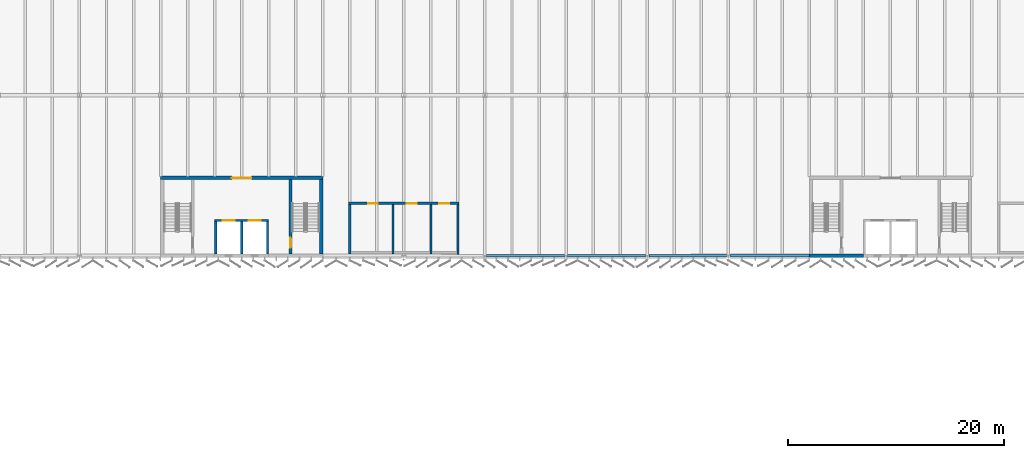
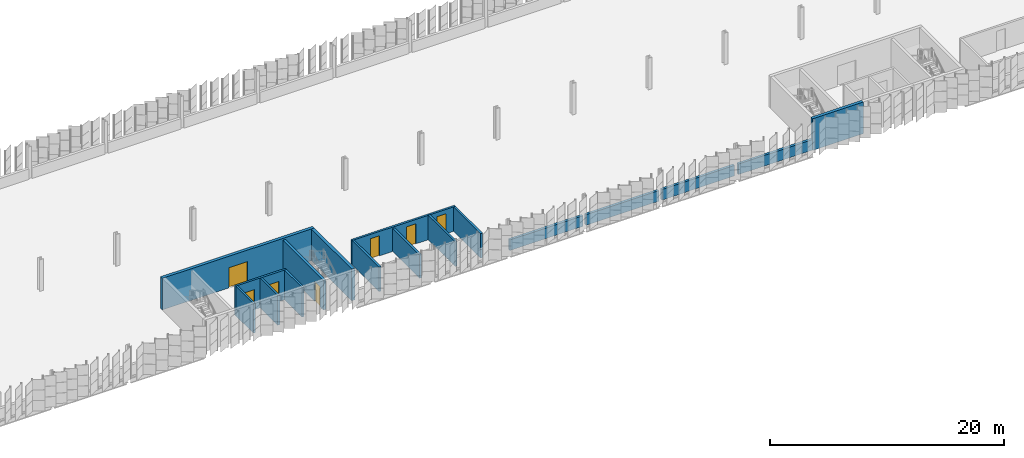
# One storey, part 70 of 214: 17 walls, 7 doors, 7 openings.
"""IFC4 building model written with IfcOpenShell, lengths in metres."""

from ifc_helpers import new_model, si_unit, direction, frame, frame_2d, origin, place, context, subcontext, project, spatial, rectangle, extrude, material, layer, layer_set, type_object, element, fill, save


model = new_model("IFC4")

# Units and contexts
model_context = context("Model", 3, precision=1e-05, world=origin(), true_north=direction((0.0, 1.0)))
body_context = subcontext(model_context, "Body", "Model", "MODEL_VIEW")
ifc_project = project(units=[si_unit("LENGTHUNIT", "METRE"), si_unit("AREAUNIT", "SQUARE_METRE"), si_unit("VOLUMEUNIT", "CUBIC_METRE"), si_unit("PLANEANGLEUNIT", "RADIAN"), si_unit("MASSUNIT", "GRAM", prefix="KILO")], contexts=[model_context])

# Site, building, storey
site_placement = place(None, origin())
site = spatial("IfcSite", under=ifc_project, at=site_placement, CompositionType="ELEMENT")
building_placement = place(site_placement, origin())
building = spatial("IfcBuilding", under=site, at=building_placement, Name="Parallax Yard Mobility Hub", CompositionType="ELEMENT")
storey_placement = place(building_placement, frame((0.0, 0.0, 3.300048828125)))
storey = spatial("IfcBuildingStorey", under=building, at=storey_placement, Name="L01", CompositionType="ELEMENT", Elevation=3.300048828125)

# Wall, opening, door
ifc_material_1 = material(Name="Concrete fc' 35 MPa", Category="concrete")
ifc_layer_1 = layer(ifc_material_1, 0.300048828125)
ifc_layer_set_1 = layer_set([ifc_layer_1], Name="Concrete fc' 35 MPa core wall 300")
wall_type_1 = type_object("IfcWallType", Name="Concrete fc' 35 MPa core wall 300", PredefinedType="SHEAR", material=ifc_layer_set_1)
wall_1_placement = place(storey_placement, frame((67.5, 119.85009765625, 0.0), z_axis=(0.0, 0.0, 1.0), x_axis=(1.0, 0.0, 0.0)))
wall_1 = element("IfcWall", 1, at=wall_1_placement, inside=storey, type_object=wall_type_1, Name="Core C-N1 entry wall level L01", PredefinedType="SHEAR", context=body_context, shape_type="SweptSolid", body=[
    extrude(rectangle(XDim=15.0, YDim=0.300048828125, at=frame_2d((7.5, 0.0))), origin(), (0.0, 0.0, 1.0), 3.300048828125),
])
opening_1_placement = place(wall_1_placement, frame((6.60009765625, 0.0, 0.0)))
opening_1 = element("IfcOpeningElement", 2, at=opening_1_placement, cuts=wall_1, Name="Opening L01-D709", PredefinedType="OPENING", context=body_context, shape_type="SweptSolid", body=[
    extrude(rectangle(XDim=1.800048828125, YDim=2.10009765625, at=frame_2d((0.89990234375, 1.050048828125))), frame((0.0, 0.16015625, 0.0), z_axis=(0.0, -1.0, 0.0), x_axis=(1.0, 0.0, 0.0)), (0.0, 0.0, 1.0), 0.320068359375),
])
ifc_material_2 = material(Name="Hollow metal steel door and frame", Category="steel")
door_type_1 = type_object("IfcDoorType", Name="Core double door 1800 x 2100 FD90", OperationType="NOTDEFINED", PredefinedType="DOOR", material=ifc_material_2)
door_1_placement = place(opening_1_placement, origin())
door_1 = element("IfcDoor", 3, at=door_1_placement, inside=storey, type_object=door_type_1, Name="Lift lobby door L01-D709, core C-N1 level L01", OperationType="DOUBLE_DOOR_SINGLE_SWING", OverallHeight=2.10009765625, OverallWidth=1.800048828125, PredefinedType="DOOR", context=body_context, shape_type="SweptSolid", body=[
    extrude(rectangle(XDim=1.800048828125, YDim=2.10009765625, at=frame_2d((0.89990234375, 1.050048828125))), frame((0.0, 0.02490234375, 0.0), z_axis=(0.0, -1.0, 0.0), x_axis=(1.0, 0.0, 0.0)), (0.0, 0.0, 1.0), 0.050048828125),
])
fill(opening_1, door_1)

# Walls
wall_2_placement = place(storey_placement, frame((82.35009765625, 119.699951171875, 0.0), z_axis=(0.0, 0.0, 1.0), x_axis=(0.0, -1.0, 0.0)))
element("IfcWall", 4, at=wall_2_placement, inside=storey, type_object=wall_type_1, Name="Core C-N1 west-side end wall level L01", PredefinedType="SHEAR", context=body_context, shape_type="SweptSolid", body=[
    extrude(rectangle(XDim=6.89990234375, YDim=0.300048828125, at=frame_2d((3.449951171875, 0.0))), origin(), (0.0, 0.0, 1.0), 3.300048828125),
])
wall_3_placement = place(storey_placement, frame((132.5, 112.64990234375, 0.0), z_axis=(0.0, 0.0, 1.0), x_axis=(-1.0, 0.0, 0.0)))
element("IfcWall", 5, at=wall_3_placement, inside=storey, type_object=wall_type_1, Name="Core C-N2 back wall part 3 level L01", PredefinedType="SHEAR", context=body_context, shape_type="SweptSolid", body=[
    extrude(rectangle(XDim=5.0, YDim=0.300048828125, at=frame_2d((2.5, 0.0))), origin(), (0.0, 0.0, 1.0), 3.300048828125),
])

# Wall, openings, doors
ifc_layer_2 = layer(ifc_material_1, 0.199951171875)
ifc_layer_set_2 = layer_set([ifc_layer_2], Name="Concrete fc' 35 MPa internal core wall 200")
wall_type_2 = type_object("IfcWallType", Name="Concrete fc' 35 MPa internal core wall 200", PredefinedType="STANDARD", material=ifc_layer_set_2)
wall_4_placement = place(storey_placement, frame((77.5, 115.89990234375, 0.0), z_axis=(0.0, 0.0, 1.0), x_axis=(-1.0, 0.0, 0.0)))
wall_4 = element("IfcWall", 6, at=wall_4_placement, inside=storey, type_object=wall_type_2, Name="Core C-N1 lift front 2 part 2 level L01", PredefinedType="STANDARD", context=body_context, shape_type="SweptSolid", body=[
    extrude(rectangle(XDim=5.0, YDim=0.199951171875, at=frame_2d((2.5, 0.0))), origin(), (0.0, 0.0, 1.0), 3.099853515625),
])
opening_2_placement = place(wall_4_placement, frame((0.75, 0.0, 0.0)))
opening_2 = element("IfcOpeningElement", 7, at=opening_2_placement, cuts=wall_4, Name="Opening L01-D712", PredefinedType="OPENING", context=body_context, shape_type="SweptSolid", body=[
    extrude(rectangle(XDim=1.10009765625, YDim=2.10009765625, at=frame_2d((0.550048828125, 1.050048828125))), frame((0.0, 0.10986328125, 0.0), z_axis=(0.0, -1.0, 0.0), x_axis=(1.0, 0.0, 0.0)), (0.0, 0.0, 1.0), 0.219970703125),
])
opening_3_placement = place(wall_4_placement, frame((3.14990234375, 0.0, 0.0)))
opening_3 = element("IfcOpeningElement", 8, at=opening_3_placement, cuts=wall_4, Name="Opening L01-D713", PredefinedType="OPENING", context=body_context, shape_type="SweptSolid", body=[
    extrude(rectangle(XDim=1.10009765625, YDim=2.10009765625, at=frame_2d((0.550048828125, 1.050048828125))), frame((0.0, 0.10986328125, 0.0), z_axis=(0.0, -1.0, 0.0), x_axis=(1.0, 0.0, 0.0)), (0.0, 0.0, 1.0), 0.219970703125),
])
ifc_material_3 = material(Name="Stainless steel sliding door and frame", Category="steel")
door_type_2 = type_object("IfcDoorType", Name="Lift landing door 1100 x 2100 FD90", OperationType="DOUBLE_DOOR_SLIDING", PredefinedType="DOOR", material=ifc_material_3)
door_2_placement = place(opening_2_placement, origin())
door_2 = element("IfcDoor", 9, at=door_2_placement, inside=storey, type_object=door_type_2, Name="Lift landing door L01-D712, core C-N1 level L01", OperationType="DOUBLE_DOOR_SLIDING", OverallHeight=2.10009765625, OverallWidth=1.10009765625, PredefinedType="DOOR", context=body_context, shape_type="SweptSolid", body=[
    extrude(rectangle(XDim=1.10009765625, YDim=2.10009765625, at=frame_2d((0.550048828125, 1.050048828125))), frame((0.0, 0.02490234375, 0.0), z_axis=(0.0, -1.0, 0.0), x_axis=(1.0, 0.0, 0.0)), (0.0, 0.0, 1.0), 0.050048828125),
])
fill(opening_2, door_2)
door_3_placement = place(opening_3_placement, origin())
door_3 = element("IfcDoor", 10, at=door_3_placement, inside=storey, type_object=door_type_2, Name="Lift landing door L01-D713, core C-N1 level L01", OperationType="DOUBLE_DOOR_SLIDING", OverallHeight=2.10009765625, OverallWidth=1.10009765625, PredefinedType="DOOR", context=body_context, shape_type="SweptSolid", body=[
    extrude(rectangle(XDim=1.10009765625, YDim=2.10009765625, at=frame_2d((0.550048828125, 1.050048828125))), frame((0.0, 0.02490234375, 0.0), z_axis=(0.0, -1.0, 0.0), x_axis=(1.0, 0.0, 0.0)), (0.0, 0.0, 1.0), 0.050048828125),
])
fill(opening_3, door_3)

# Walls
for number, where, z_axis, x_axis, name in (
    (11, (77.39990234375, 115.800048828125, 0.0), (0.0, 0.0, 1.0), (0.0, -1.0, 0.0), "Core C-N1 lift wall 1 part 1 level L01"),
    (12, (75.0, 115.800048828125, 0.0), (0.0, 0.0, 1.0), (0.0, -1.0, 0.0), "Core C-N1 lift wall 2 part 2 level L01"),
    (13, (72.60009765625, 115.800048828125, 0.0), (0.0, 0.0, 1.0), (0.0, -1.0, 0.0), "Core C-N1 lift wall 3 part 3 level L01"),
):
    element("IfcWall", number, at=place(storey_placement, frame(where, z_axis=z_axis, x_axis=x_axis)), inside=storey, type_object=wall_type_2, Name=name, PredefinedType="STANDARD", context=body_context, shape_type="SweptSolid", body=[
        extrude(rectangle(XDim=3.0, YDim=0.199951171875, at=frame_2d((1.5, 0.0))), origin(), (0.0, 0.0, 1.0), 3.099853515625),
    ])

# Wall, opening, door
ifc_layer_3 = layer(ifc_material_1, 0.25)
ifc_layer_set_3 = layer_set([ifc_layer_3], Name="Concrete fc' 35 MPa stair enclosure wall 250")
wall_type_3 = type_object("IfcWallType", Name="Concrete fc' 35 MPa stair enclosure wall 250", PredefinedType="STANDARD", material=ifc_layer_set_3)
wall_5_placement = place(storey_placement, frame((79.52490234375, 119.699951171875, 0.0), z_axis=(0.0, 0.0, 1.0), x_axis=(0.0, -1.0, 0.0)))
wall_5 = element("IfcWall", 14, at=wall_5_placement, inside=storey, type_object=wall_type_3, Name="Core C-N1 stair 1 partition level L01", PredefinedType="STANDARD", context=body_context, shape_type="SweptSolid", body=[
    extrude(rectangle(XDim=6.89990234375, YDim=0.25, at=frame_2d((3.449951171875, 0.0))), origin(), (0.0, 0.0, 1.0), 3.099853515625),
])
opening_4_placement = place(wall_5_placement, frame((5.39990234375, 0.0, 0.0)))
opening_4 = element("IfcOpeningElement", 15, at=opening_4_placement, cuts=wall_5, Name="Opening L01-D710", PredefinedType="OPENING", context=body_context, shape_type="SweptSolid", body=[
    extrude(rectangle(XDim=0.89990234375, YDim=2.10009765625, at=frame_2d((0.449951171875, 1.050048828125))), frame((0.0, 0.135009765625, 0.0), z_axis=(0.0, -1.0, 0.0), x_axis=(1.0, 0.0, 0.0)), (0.0, 0.0, 1.0), 0.27001953125),
])
door_type_3 = type_object("IfcDoorType", Name="Core door 900 x 2100 FD90", OperationType="NOTDEFINED", PredefinedType="DOOR", material=ifc_material_2)
door_4_placement = place(opening_4_placement, origin())
door_4 = element("IfcDoor", 16, at=door_4_placement, inside=storey, type_object=door_type_3, Name="Stair lobby door L01-D710, core C-N1 level L01", OperationType="SINGLE_SWING_LEFT", OverallHeight=2.10009765625, OverallWidth=0.89990234375, PredefinedType="DOOR", context=body_context, shape_type="SweptSolid", body=[
    extrude(rectangle(XDim=0.89990234375, YDim=2.10009765625, at=frame_2d((0.449951171875, 1.050048828125))), frame((0.0, 0.02490234375, 0.0), z_axis=(0.0, -1.0, 0.0), x_axis=(1.0, 0.0, 0.0)), (0.0, 0.0, 1.0), 0.050048828125),
])
fill(opening_4, door_4)

# Walls
ifc_layer_4 = layer(ifc_material_1, 0.25)
ifc_layer_set_4 = layer_set([ifc_layer_4], Name="Deck-edge barrier wall, Concrete fc' 35 MPa precast, 250")
wall_type_4 = type_object("IfcWallType", Name="Deck-edge barrier wall, Concrete fc' 35 MPa precast, 250", PredefinedType="SOLIDWALL", material=ifc_layer_set_4)
for number, where, z_axis, x_axis, name in (
    (17, (97.651611328125, 112.6474609375, 0.0), (0.0, 0.0, 1.0), (1.0, 0.0, 0.0), "Deck-edge barrier wall bay 9 level L01"),
    (18, (105.151611328125, 112.6474609375, 0.0), (0.0, 0.0, 1.0), (1.0, 0.0, 0.0), "Deck-edge barrier wall bay 10 level L01"),
):
    element("IfcWall", number, at=place(storey_placement, frame(where, z_axis=z_axis, x_axis=x_axis)), inside=storey, type_object=wall_type_4, Name=name, PredefinedType="SOLIDWALL", context=body_context, shape_type="SweptSolid", body=[
        extrude(rectangle(XDim=7.19677734375, YDim=0.25, at=frame_2d((3.598388671875, 0.0))), origin(), (0.0, 0.0, 1.0), 1.099853515625),
    ])
wall_6_placement = place(storey_placement, frame((112.651611328125, 112.6474609375, 0.0), z_axis=(0.0, 0.0, 1.0), x_axis=(0.999993473402, 0.003612914829, 0.0)))
element("IfcWall", 19, at=wall_6_placement, inside=storey, type_object=wall_type_4, Name="Deck-edge barrier wall bay 11 level L01", PredefinedType="SOLIDWALL", context=body_context, shape_type="SweptSolid", body=[
    extrude(rectangle(XDim=7.162841796875, YDim=0.25, at=frame_2d((3.58154296875, 0.0))), origin(), (0.0, 0.0, 1.0), 1.099853515625),
])
wall_7_placement = place(storey_placement, frame((120.185546875, 112.67333984375, 0.0), z_axis=(0.0, 0.0, 1.0), x_axis=(1.0, 0.0, 0.0)))
element("IfcWall", 20, at=wall_7_placement, inside=storey, type_object=wall_type_4, Name="Deck-edge barrier wall bay 12 level L01", PredefinedType="SOLIDWALL", context=body_context, shape_type="SweptSolid", body=[
    extrude(rectangle(XDim=7.3095703125, YDim=0.25, at=frame_2d((3.65478515625, 0.0))), origin(), (0.0, 0.0, 1.0), 1.099853515625),
])

# Wall, openings, doors
ifc_material_4 = material(Name="Fire-rated plasterboard partition, two layers each side")
ifc_layer_5 = layer(ifc_material_4, 0.199951171875)
ifc_layer_set_5 = layer_set([ifc_layer_5], Name="Fire-rated partition 200 mm")
wall_type_5 = type_object("IfcWallType", Name="Fire-rated partition 200 mm", PredefinedType="PARTITIONING", material=ifc_layer_set_5)
wall_8_placement = place(storey_placement, frame((84.89990234375, 117.5, 0.0), z_axis=(0.0, 0.0, 1.0), x_axis=(1.0, 0.0, 0.0)))
wall_8 = element("IfcWall", 21, at=wall_8_placement, inside=storey, type_object=wall_type_5, Name="Partition 39 level L01", PredefinedType="PARTITIONING", context=body_context, shape_type="SweptSolid", body=[
    extrude(rectangle(XDim=10.2001953125, YDim=0.199951171875, at=frame_2d((5.10009765625, 0.0))), origin(), (0.0, 0.0, 1.0), 2.5478515625),
])
opening_5_placement = place(wall_8_placement, frame((1.800048828125, 0.0, 0.0)))
opening_5 = element("IfcOpeningElement", 22, at=opening_5_placement, cuts=wall_8, Name="Opening L01-D226", PredefinedType="OPENING", context=body_context, shape_type="SweptSolid", body=[
    extrude(rectangle(XDim=0.89990234375, YDim=2.10009765625, at=frame_2d((0.449951171875, 1.050048828125))), frame((0.0, 0.10986328125, 0.0), z_axis=(0.0, -1.0, 0.0), x_axis=(1.0, 0.0, 0.0)), (0.0, 0.0, 1.0), 0.219970703125),
])
opening_6_placement = place(wall_8_placement, frame((5.375244140625, 0.0, 0.0)))
opening_6 = element("IfcOpeningElement", 23, at=opening_6_placement, cuts=wall_8, Name="Opening L01-D227", PredefinedType="OPENING", context=body_context, shape_type="SweptSolid", body=[
    extrude(rectangle(XDim=0.89990234375, YDim=2.10009765625, at=frame_2d((0.449951171875, 1.050048828125))), frame((0.0, 0.10986328125, 0.0), z_axis=(0.0, -1.0, 0.0), x_axis=(1.0, 0.0, 0.0)), (0.0, 0.0, 1.0), 0.219970703125),
])
opening_7_placement = place(wall_8_placement, frame((8.375244140625, 0.0, 0.0)))
opening_7 = element("IfcOpeningElement", 24, at=opening_7_placement, cuts=wall_8, Name="Opening L01-D228", PredefinedType="OPENING", context=body_context, shape_type="SweptSolid", body=[
    extrude(rectangle(XDim=0.89990234375, YDim=2.10009765625, at=frame_2d((0.449951171875, 1.050048828125))), frame((0.0, 0.10986328125, 0.0), z_axis=(0.0, -1.0, 0.0), x_axis=(1.0, 0.0, 0.0)), (0.0, 0.0, 1.0), 0.219970703125),
])
ifc_material_5 = material(Name="Hollow metal fire door leaf with intumescent seals")
door_type_4 = type_object("IfcDoorType", Name="Fire door 900 mm FD60", OperationType="NOTDEFINED", PredefinedType="DOOR", material=ifc_material_5)
door_5_placement = place(opening_5_placement, origin())
door_5 = element("IfcDoor", 25, at=door_5_placement, inside=storey, type_object=door_type_4, Name="Door L01-D226 Men's WC", OperationType="SINGLE_SWING_LEFT", OverallHeight=2.10009765625, OverallWidth=0.89990234375, PredefinedType="DOOR", context=body_context, shape_type="SweptSolid", body=[
    extrude(rectangle(XDim=0.89990234375, YDim=2.10009765625, at=frame_2d((0.449951171875, 1.050048828125))), frame((0.0, 0.02490234375, 0.0), z_axis=(0.0, -1.0, 0.0), x_axis=(1.0, 0.0, 0.0)), (0.0, 0.0, 1.0), 0.050048828125),
])
fill(opening_5, door_5)
door_6_placement = place(opening_6_placement, origin())
door_6 = element("IfcDoor", 26, at=door_6_placement, inside=storey, type_object=door_type_4, Name="Door L01-D227 Women's WC", OperationType="SINGLE_SWING_RIGHT", OverallHeight=2.10009765625, OverallWidth=0.89990234375, PredefinedType="DOOR", context=body_context, shape_type="SweptSolid", body=[
    extrude(rectangle(XDim=0.89990234375, YDim=2.10009765625, at=frame_2d((0.449951171875, 1.050048828125))), frame((0.0, 0.02490234375, 0.0), z_axis=(0.0, -1.0, 0.0), x_axis=(1.0, 0.0, 0.0)), (0.0, 0.0, 1.0), 0.050048828125),
])
fill(opening_6, door_6)
door_7_placement = place(opening_7_placement, origin())
door_7 = element("IfcDoor", 27, at=door_7_placement, inside=storey, type_object=door_type_4, Name="Door L01-D228 Accessible WC", OperationType="SINGLE_SWING_RIGHT", OverallHeight=2.10009765625, OverallWidth=0.89990234375, PredefinedType="DOOR", context=body_context, shape_type="SweptSolid", body=[
    extrude(rectangle(XDim=0.89990234375, YDim=2.10009765625, at=frame_2d((0.449951171875, 1.050048828125))), frame((0.0, 0.02490234375, 0.0), z_axis=(0.0, -1.0, 0.0), x_axis=(1.0, 0.0, 0.0)), (0.0, 0.0, 1.0), 0.050048828125),
])
fill(opening_7, door_7)

# Walls
wall_9_placement = place(storey_placement, frame((85.0, 112.79833984375, 0.0), z_axis=(0.0, 0.0, 1.0), x_axis=(0.0, 1.0, 0.0)))
element("IfcWall", 28, at=wall_9_placement, inside=storey, type_object=wall_type_5, Name="Partition 52 level L01", PredefinedType="PARTITIONING", context=body_context, shape_type="SweptSolid", body=[
    extrude(rectangle(XDim=4.6015625, YDim=0.199951171875, at=frame_2d((2.30078125, 0.0))), origin(), (0.0, 0.0, 1.0), 2.557861328125),
])
wall_10_placement = place(storey_placement, frame((89.0, 112.79833984375, 0.0), z_axis=(0.0, 0.0, 1.0), x_axis=(0.0, 1.0, 0.0)))
element("IfcWall", 29, at=wall_10_placement, inside=storey, type_object=wall_type_5, Name="Partition 53 level L01", PredefinedType="PARTITIONING", context=body_context, shape_type="SweptSolid", body=[
    extrude(rectangle(XDim=4.6015625, YDim=0.199951171875, at=frame_2d((2.30078125, 0.0))), origin(), (0.0, 0.0, 1.0), 2.409912109375),
])
wall_11_placement = place(storey_placement, frame((92.5, 112.7900390625, 0.0), z_axis=(0.0, 0.0, 1.0), x_axis=(0.0, 1.0, 0.0)))
element("IfcWall", 30, at=wall_11_placement, inside=storey, type_object=wall_type_5, Name="Partition 54 level L01", PredefinedType="PARTITIONING", context=body_context, shape_type="SweptSolid", body=[
    extrude(rectangle(XDim=4.60986328125, YDim=0.199951171875, at=frame_2d((2.304931640625, 0.0))), origin(), (0.0, 0.0, 1.0), 2.557861328125),
])
wall_12_placement = place(storey_placement, frame((95.0, 112.781005859375, 0.0), z_axis=(0.0, 0.0, 1.0), x_axis=(0.0, 1.0, 0.0)))
element("IfcWall", 31, at=wall_12_placement, inside=storey, type_object=wall_type_5, Name="Partition 55 level L01", PredefinedType="PARTITIONING", context=body_context, shape_type="SweptSolid", body=[
    extrude(rectangle(XDim=4.618896484375, YDim=0.199951171875, at=frame_2d((2.3095703125, 0.0))), origin(), (0.0, 0.0, 1.0), 2.557861328125),
])

save(model, "model.ifc")
